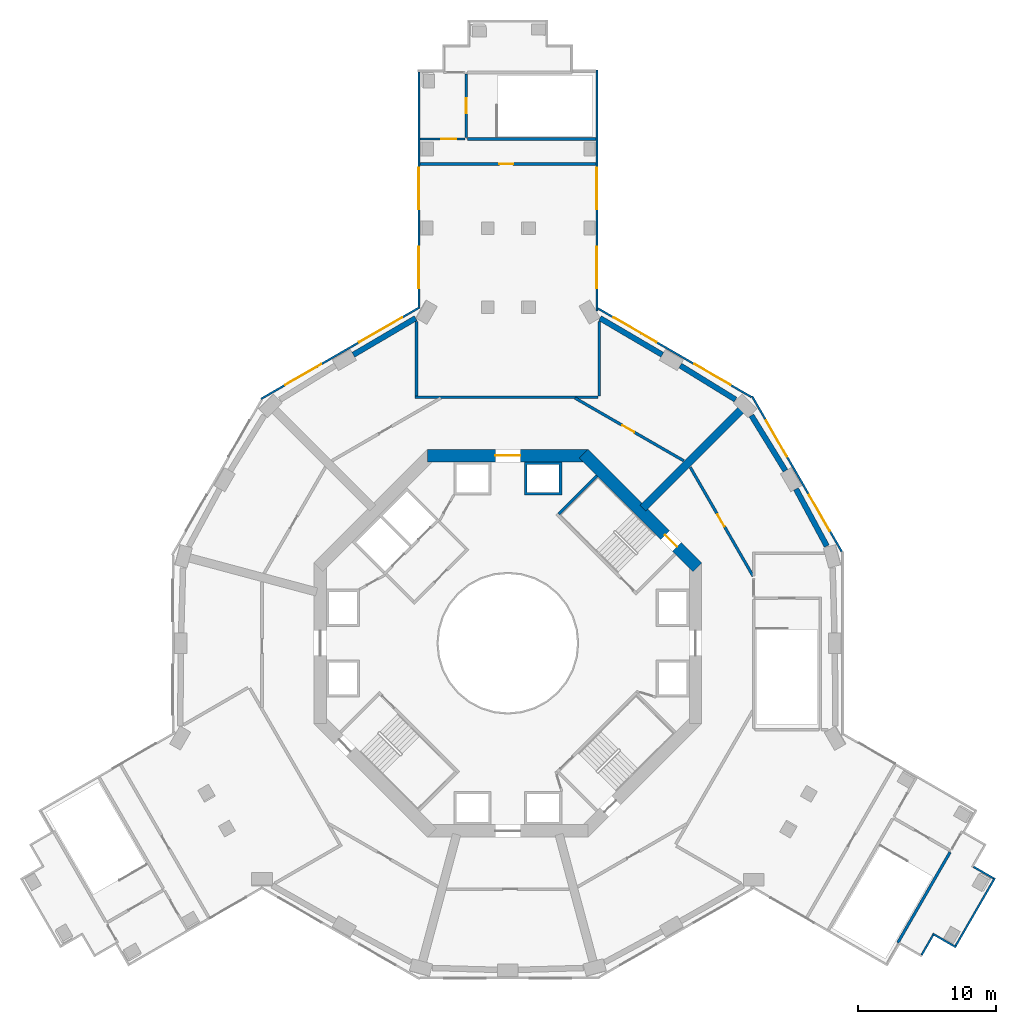
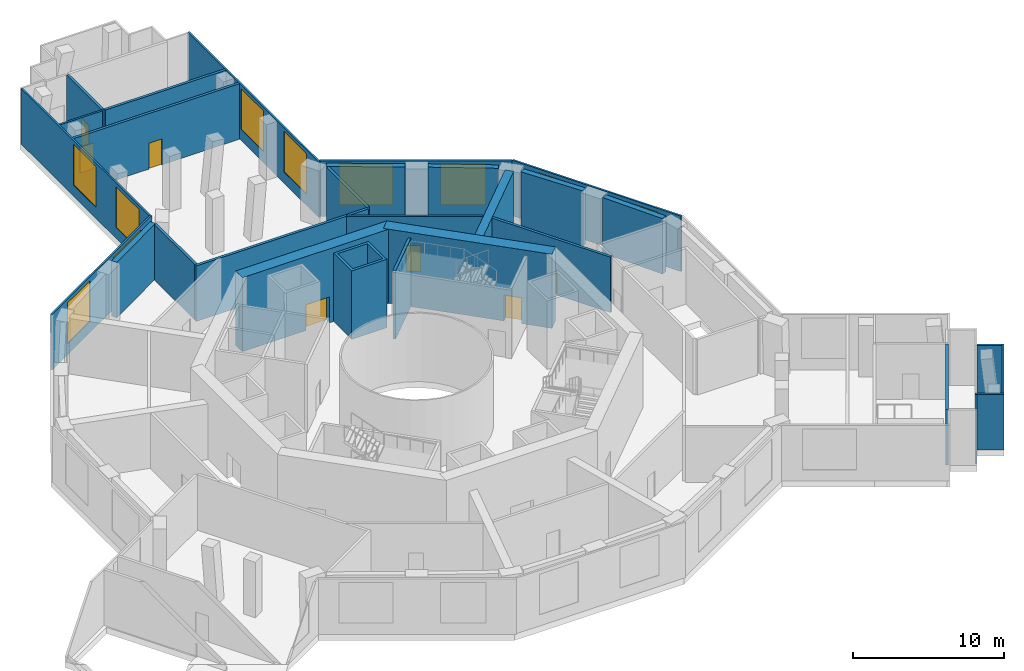
# One storey, part 5 of 12: 29 walls, 10 windows, 7 doors, 17 openings.
"""IFC4 building model written with IfcOpenShell, lengths in metres."""

from ifc_helpers import new_model, si_unit, direction, frame, frame_2d, origin, place, context, subcontext, project, spatial, polyline, rectangle, outline, extrude, material, layer, layer_set, type_object, element, fill, save


model = new_model("IFC4")

# Units and contexts
model_context = context("Model", 3, precision=1e-05, world=origin(), true_north=direction((0.0, 1.0)))
body_context = subcontext(model_context, "Body", "Model", "MODEL_VIEW")
ifc_project = project(units=[si_unit("LENGTHUNIT", "METRE"), si_unit("AREAUNIT", "SQUARE_METRE"), si_unit("VOLUMEUNIT", "CUBIC_METRE"), si_unit("PLANEANGLEUNIT", "RADIAN"), si_unit("MASSUNIT", "GRAM", prefix="KILO")], contexts=[model_context])

# Site, building, storey
site_placement = place(None, origin())
site = spatial("IfcSite", under=ifc_project, at=site_placement, CompositionType="ELEMENT")
building_placement = place(site_placement, origin())
building = spatial("IfcBuilding", under=site, at=building_placement, Name="Verdalira Terraces Hotel", CompositionType="ELEMENT")
storey_placement = place(building_placement, frame((0.0, 0.0, 28.0)))
storey = spatial("IfcBuildingStorey", under=building, at=storey_placement, Name="L05", CompositionType="ELEMENT", Elevation=28.0)

# Walls
ifc_material_1 = material(Name="Concrete C70", Category="concrete")
ifc_layer_1 = layer(ifc_material_1, 0.39990234375)
ifc_layer_set_1 = layer_set([ifc_layer_1], Name="Belt wall 400 C70")
wall_type_1 = type_object("IfcWallType", Name="Belt wall 400 C70", PredefinedType="SHEAR", material=ifc_layer_set_1)
wall_1_placement = place(storey_placement, frame((-6.654053, 23.469238, 0.0), z_axis=(0.0, 0.0, 1.0), x_axis=(-0.862353622, -0.506306458, 0.0)))
element("IfcWall", 1, at=wall_1_placement, inside=storey, type_object=wall_type_1, Name="Belt wall BW-05-1", PredefinedType="SHEAR", context=body_context, shape_type="SweptSolid", body=[
    extrude(rectangle(XDim=5.21875, YDim=0.399902, at=frame_2d((2.609375, 0.0))), origin(), (0.0, 0.0, 1.0), 4.5),
])
for number, where, z_axis, x_axis, name in (
    (2, (23.032471, 7.01123, 0.0), (0.0, 0.0, 1.0), (-0.474994751, 0.879988629, 0.0), "Belt wall BW-05-15"),
    (3, (20.04541, 12.453369, 0.0), (0.0, 0.0, 1.0), (-0.524623706, 0.851334227, 0.0), "Belt wall BW-05-16"),
    (4, (16.440918, 17.588135, 0.0), (0.0, 0.0, 1.0), (-0.851334227, 0.524623706, 0.0), "Belt wall BW-05-17"),
):
    element("IfcWall", number, at=place(storey_placement, frame(where, z_axis=z_axis, x_axis=x_axis)), inside=storey, type_object=wall_type_1, Name=name, PredefinedType="SHEAR", context=body_context, shape_type="SweptSolid", body=[
        extrude(rectangle(XDim=4.683838, YDim=0.399902, at=frame_2d((2.341797, 0.0))), origin(), (0.0, 0.0, 1.0), 4.5),
    ])
wall_2_placement = place(storey_placement, frame((11.154541, 20.826904, 0.0), z_axis=(0.0, 0.0, 1.0), x_axis=(-0.862353622, 0.506306458, 0.0)))
element("IfcWall", 5, at=wall_2_placement, inside=storey, type_object=wall_type_1, Name="Belt wall BW-05-18", PredefinedType="SHEAR", context=body_context, shape_type="SweptSolid", body=[
    extrude(rectangle(XDim=5.21875, YDim=0.399902, at=frame_2d((2.609375, 0.0))), origin(), (0.0, 0.0, 1.0), 4.5),
])
ifc_material_2 = material(Name="Concrete C50", Category="concrete")
ifc_layer_2 = layer(ifc_material_2, 0.199951171875)
ifc_layer_set_2 = layer_set([ifc_layer_2], Name="Core RC wall 200 C50")
wall_type_2 = type_object("IfcWallType", Name="Core RC wall 200 C50", PredefinedType="SOLIDWALL", material=ifc_layer_set_2)
wall_3_placement = place(storey_placement, origin())
element("IfcWall", 6, at=wall_3_placement, inside=storey, type_object=wall_type_2, Name="L05 shaft wall N1", PredefinedType="SOLIDWALL", context=body_context, shape_type="SweptSolid", body=[
    extrude(outline(polyline([(1.199951, 13.100098), (3.899902, 13.100098), (3.899902, 10.699951), (1.199951, 10.699951), (1.199951, 13.100098)]), holes=[polyline([(3.699951, 10.899902), (3.699951, 12.899902), (1.399902, 12.899902), (1.399902, 10.899902), (3.699951, 10.899902)])]), origin(), (0.0, 0.0, 1.0), 5.550049),
])
wall_4_placement = place(storey_placement, frame((3.677002, 9.33374, 0.0), z_axis=(0.0, 0.0, 1.0), x_axis=(0.707106781, 0.707106781, 0.0)))
element("IfcWall", 7, at=wall_4_placement, inside=storey, type_object=wall_type_2, Name="L05 stair ST1 end wall 2", PredefinedType="SOLIDWALL", context=body_context, shape_type="SweptSolid", body=[
    extrude(rectangle(XDim=3.900146, YDim=0.199951, at=frame_2d((1.950195, 0.0))), origin(), (0.0, 0.0, 1.0), 5.550049),
])

# Wall, opening, door
ifc_material_3 = material(Name="Concrete C70", Category="concrete")
ifc_layer_3 = layer(ifc_material_3, 0.89990234375)
ifc_layer_set_3 = layer_set([ifc_layer_3], Name="Core wall 900 C70")
wall_type_3 = type_object("IfcWallType", Name="Core wall 900 C70", PredefinedType="SHEAR", material=ifc_layer_set_3)
wall_5_placement = place(storey_placement, frame((13.681885, 5.480713, 0.0), z_axis=(0.0, 0.0, 1.0), x_axis=(-0.707106781, 0.707106781, 0.0)))
wall_5 = element("IfcWall", 8, at=wall_5_placement, inside=storey, type_object=wall_type_3, Name="Core wall CW-L05-2", PredefinedType="SHEAR", context=body_context, shape_type="SweptSolid", body=[
    extrude(rectangle(XDim=11.598145, YDim=0.899902, at=frame_2d((5.799072, 0.0))), origin(), (0.0, 0.0, 1.0), 6.0),
])
opening_1_placement = place(wall_5_placement, frame((2.099121, 0.0, 0.0)))
opening_1 = element("IfcOpeningElement", 9, at=opening_1_placement, cuts=wall_5, Name="Opening L05-810", PredefinedType="OPENING", context=body_context, shape_type="SweptSolid", body=[
    extrude(rectangle(XDim=1.199951, YDim=2.100098, at=frame_2d((0.600098, 1.050049))), frame((0.0, 0.459961, 0.0), z_axis=(0.0, -1.0, 0.0), x_axis=(1.0, 0.0, 0.0)), (0.0, 0.0, 1.0), 0.919922),
])
ifc_material_4 = material(Name="Steel fire door", Category="steel")
door_type_1 = type_object("IfcDoorType", Name="Stair door 1200 x 2100", OperationType="NOTDEFINED", PredefinedType="DOOR", material=ifc_material_4)
door_1_placement = place(opening_1_placement, origin())
door_1 = element("IfcDoor", 10, at=door_1_placement, inside=storey, type_object=door_type_1, Name="Stair exit door ST1 L05", OperationType="SINGLE_SWING_LEFT", OverallHeight=2.10009765625, OverallWidth=1.199951171875, PredefinedType="DOOR", context=body_context, shape_type="SweptSolid", body=[
    extrude(rectangle(XDim=1.199951, YDim=2.100098, at=frame_2d((0.600098, 1.050049))), frame((0.0, 0.024902, 0.0), z_axis=(0.0, -1.0, 0.0), x_axis=(1.0, 0.0, 0.0)), (0.0, 0.0, 1.0), 0.050049),
])
fill(opening_1, door_1)

wall_6_placement = place(storey_placement, frame((5.799072, 13.550049, 0.0), z_axis=(0.0, 0.0, 1.0), x_axis=(-1.0, 0.0, 0.0)))
wall_6 = element("IfcWall", 11, at=wall_6_placement, inside=storey, type_object=wall_type_3, Name="Core wall CW-L05-3", PredefinedType="SHEAR", context=body_context, shape_type="SweptSolid", body=[
    extrude(rectangle(XDim=11.598145, YDim=0.899902, at=frame_2d((5.799072, 0.0))), origin(), (0.0, 0.0, 1.0), 6.0),
])
opening_2_placement = place(wall_6_placement, frame((4.898926, 0.0, 0.0)))
opening_2 = element("IfcOpeningElement", 12, at=opening_2_placement, cuts=wall_6, Name="Opening L05-807", PredefinedType="OPENING", context=body_context, shape_type="SweptSolid", body=[
    extrude(rectangle(XDim=1.800049, YDim=2.100098, at=frame_2d((0.899902, 1.050049))), frame((0.0, 0.459961, 0.0), z_axis=(0.0, -1.0, 0.0), x_axis=(1.0, 0.0, 0.0)), (0.0, 0.0, 1.0), 0.919922),
])
ifc_material_5 = material(Name="Steel fire door", Category="steel")
door_type_2 = type_object("IfcDoorType", Name="Core entry door pair 1800 x 2100", OperationType="NOTDEFINED", PredefinedType="DOOR", material=ifc_material_5)
door_2_placement = place(opening_2_placement, origin())
door_2 = element("IfcDoor", 13, at=door_2_placement, inside=storey, type_object=door_type_2, Name="Core entry door L05 2", OperationType="DOUBLE_DOOR_SINGLE_SWING", OverallHeight=2.10009765625, OverallWidth=1.800048828125, PredefinedType="DOOR", context=body_context, shape_type="SweptSolid", body=[
    extrude(rectangle(XDim=1.800049, YDim=2.100098, at=frame_2d((0.899902, 1.050049))), frame((0.0, 0.024902, 0.0), z_axis=(0.0, -1.0, 0.0), x_axis=(1.0, 0.0, 0.0)), (0.0, 0.0, 1.0), 0.050049),
])
fill(opening_2, door_2)

# Walls
ifc_material_6 = material(Name="Concrete block masonry", Category="masonry")
ifc_layer_4 = layer(ifc_material_6, 0.199951171875)
ifc_layer_set_4 = layer_set([ifc_layer_4], Name="Fire-rated masonry wall 200 mm")
wall_type_4 = type_object("IfcWallType", Name="Fire-rated masonry wall 200 mm", PredefinedType="SOLIDWALL", material=ifc_layer_set_4)
wall_7_placement = place(storey_placement, frame((-6.699951, 17.758301, 0.0), z_axis=(0.0, 0.0, 1.0), x_axis=(1.0, 0.0, 0.0)))
element("IfcWall", 14, at=wall_7_placement, inside=storey, type_object=wall_type_4, Name="Plant and kitchen enclosure wall", PredefinedType="SOLIDWALL", context=body_context, shape_type="SweptSolid", body=[
    extrude(rectangle(XDim=13.199951, YDim=0.199951, at=frame_2d((6.600098, 0.0))), origin(), (0.0, 0.0, 1.0), 4.5),
])
wall_8_placement = place(storey_placement, frame((-6.600098, 23.234131, 0.0), z_axis=(0.0, 0.0, 1.0), x_axis=(0.0, -1.0, 0.0)))
element("IfcWall", 15, at=wall_8_placement, inside=storey, type_object=wall_type_4, Name="Plant and kitchen enclosure wall", PredefinedType="SOLIDWALL", context=body_context, shape_type="SweptSolid", body=[
    extrude(rectangle(XDim=5.375732, YDim=0.199951, at=frame_2d((2.687988, 0.0))), origin(), (0.0, 0.0, 1.0), 4.5),
])

# Wall, opening, door
wall_9_placement = place(storey_placement, frame((-6.360107, 34.600098, 0.0), z_axis=(0.0, 0.0, 1.0), x_axis=(1.0, 0.0, 0.0)))
wall_9 = element("IfcWall", 16, at=wall_9_placement, inside=storey, type_object=wall_type_4, Name="Plant and kitchen enclosure wall", PredefinedType="SOLIDWALL", context=body_context, shape_type="SweptSolid", body=[
    extrude(rectangle(XDim=12.720215, YDim=0.199951, at=frame_2d((6.360107, 0.0))), origin(), (0.0, 0.0, 1.0), 4.5),
])
opening_3_placement = place(wall_9_placement, frame((5.75, 0.0, 0.0)))
opening_3 = element("IfcOpeningElement", 17, at=opening_3_placement, cuts=wall_9, Name="Opening L05-D08", PredefinedType="OPENING", context=body_context, shape_type="SweptSolid", body=[
    extrude(rectangle(XDim=1.0, YDim=2.100098, at=frame_2d((0.5, 1.050049))), frame((0.0, 0.109863, 0.0), z_axis=(0.0, -1.0, 0.0), x_axis=(1.0, 0.0, 0.0)), (0.0, 0.0, 1.0), 0.219971),
])
ifc_material_7 = material(Name="Steel fire door", Category="steel")
door_type_3 = type_object("IfcDoorType", Name="Fire door 1000 x 2100", OperationType="SINGLE_SWING_LEFT", PredefinedType="DOOR", material=ifc_material_7)
door_3_placement = place(opening_3_placement, origin())
door_3 = element("IfcDoor", 18, at=door_3_placement, inside=storey, type_object=door_type_3, Name="Stair approach corridor door", OperationType="SINGLE_SWING_RIGHT", OverallHeight=2.10009765625, OverallWidth=1.0, PredefinedType="DOOR", context=body_context, shape_type="SweptSolid", body=[
    extrude(rectangle(XDim=1.0, YDim=2.100098, at=frame_2d((0.5, 1.050049))), frame((0.0, 0.024902, 0.0), z_axis=(0.0, -1.0, 0.0), x_axis=(1.0, 0.0, 0.0)), (0.0, 0.0, 1.0), 0.050049),
])
fill(opening_3, door_3)

wall_10_placement = place(storey_placement, frame((4.844971, 17.708252, 0.0), z_axis=(0.0, 0.0, 1.0), x_axis=(0.866031025, -0.499990264, 0.0)))
wall_10 = element("IfcWall", 19, at=wall_10_placement, inside=storey, type_object=wall_type_4, Name="Plant and kitchen enclosure wall", PredefinedType="SOLIDWALL", context=body_context, shape_type="SweptSolid", body=[
    extrude(rectangle(XDim=9.074951, YDim=0.199951, at=frame_2d((4.537598, 0.0))), origin(), (0.0, 0.0, 1.0), 4.5),
])
opening_4_placement = place(wall_10_placement, frame((3.949951, 0.0, 0.0)))
opening_4 = element("IfcOpeningElement", 20, at=opening_4_placement, cuts=wall_10, Name="Opening L05-D14", PredefinedType="OPENING", context=body_context, shape_type="SweptSolid", body=[
    extrude(rectangle(XDim=1.0, YDim=2.100098, at=frame_2d((0.5, 1.050049))), frame((0.0, 0.109863, 0.0), z_axis=(0.0, -1.0, 0.0), x_axis=(1.0, 0.0, 0.0)), (0.0, 0.0, 1.0), 0.219971),
])
door_4_placement = place(opening_4_placement, origin())
door_4 = element("IfcDoor", 21, at=door_4_placement, inside=storey, type_object=door_type_3, Name="Riser room door", OperationType="SINGLE_SWING_RIGHT", OverallHeight=2.10009765625, OverallWidth=1.0, PredefinedType="DOOR", context=body_context, shape_type="SweptSolid", body=[
    extrude(rectangle(XDim=1.0, YDim=2.100098, at=frame_2d((0.5, 1.050049))), frame((0.0, 0.024902, 0.0), z_axis=(0.0, -1.0, 0.0), x_axis=(1.0, 0.0, 0.0)), (0.0, 0.0, 1.0), 0.050049),
])
fill(opening_4, door_4)

# Wall
wall_11_placement = place(storey_placement, frame((6.600098, 17.858398, 0.0), z_axis=(0.0, 0.0, 1.0), x_axis=(0.0, 1.0, 0.0)))
element("IfcWall", 22, at=wall_11_placement, inside=storey, type_object=wall_type_4, Name="Plant and kitchen enclosure wall", PredefinedType="SOLIDWALL", context=body_context, shape_type="SweptSolid", body=[
    extrude(rectangle(XDim=5.375732, YDim=0.199951, at=frame_2d((2.687988, 0.0))), origin(), (0.0, 0.0, 1.0), 4.5),
])

# Wall, opening, door
wall_12_placement = place(storey_placement, frame((13.170898, 12.704102, 0.0), z_axis=(0.0, 0.0, 1.0), x_axis=(0.499990264, -0.866031025, 0.0)))
wall_12 = element("IfcWall", 23, at=wall_12_placement, inside=storey, type_object=wall_type_4, Name="Plant and kitchen enclosure wall", PredefinedType="SOLIDWALL", context=body_context, shape_type="SweptSolid", body=[
    extrude(rectangle(XDim=9.074951, YDim=0.199951, at=frame_2d((4.537598, 0.0))), origin(), (0.0, 0.0, 1.0), 4.5),
])
opening_5_placement = place(wall_12_placement, frame((3.949951, 0.0, 0.0)))
opening_5 = element("IfcOpeningElement", 24, at=opening_5_placement, cuts=wall_12, Name="Opening L05-D16", PredefinedType="OPENING", context=body_context, shape_type="SweptSolid", body=[
    extrude(rectangle(XDim=1.0, YDim=2.100098, at=frame_2d((0.5, 1.050049))), frame((0.0, 0.109863, 0.0), z_axis=(0.0, -1.0, 0.0), x_axis=(1.0, 0.0, 0.0)), (0.0, 0.0, 1.0), 0.219971),
])
door_5_placement = place(opening_5_placement, origin())
door_5 = element("IfcDoor", 25, at=door_5_placement, inside=storey, type_object=door_type_3, Name="Telecom plant room door", OperationType="SINGLE_SWING_RIGHT", OverallHeight=2.10009765625, OverallWidth=1.0, PredefinedType="DOOR", context=body_context, shape_type="SweptSolid", body=[
    extrude(rectangle(XDim=1.0, YDim=2.100098, at=frame_2d((0.5, 1.050049))), frame((0.0, 0.024902, 0.0), z_axis=(0.0, -1.0, 0.0), x_axis=(1.0, 0.0, 0.0)), (0.0, 0.0, 1.0), 0.050049),
])
fill(opening_5, door_5)

ifc_material_8 = material(Name="Gypsum board partition on steel stud", Category="steel")
ifc_layer_5 = layer(ifc_material_8, 0.14990234375)
ifc_layer_set_5 = layer_set([ifc_layer_5], Name="Fire-rated partition 150 mm")
wall_type_5 = type_object("IfcWallType", Name="Fire-rated partition 150 mm", PredefinedType="PARTITIONING", material=ifc_layer_set_5)
wall_13_placement = place(storey_placement, frame((-3.099854, 36.399902, 0.0), z_axis=(0.0, 0.0, 1.0), x_axis=(-1.0, 0.0, 0.0)))
wall_13 = element("IfcWall", 26, at=wall_13_placement, inside=storey, type_object=wall_type_5, Name="Partition", PredefinedType="PARTITIONING", context=body_context, shape_type="SweptSolid", body=[
    extrude(rectangle(XDim=3.260254, YDim=0.149902, at=frame_2d((1.630127, 0.0))), origin(), (0.0, 0.0, 1.0), 4.5),
])
opening_6_placement = place(wall_13_placement, frame((0.610107, 0.0, 0.0)))
opening_6 = element("IfcOpeningElement", 27, at=opening_6_placement, cuts=wall_13, Name="Opening L05-D09", PredefinedType="OPENING", context=body_context, shape_type="SweptSolid", body=[
    extrude(rectangle(XDim=1.100098, YDim=2.100098, at=frame_2d((0.550049, 1.050049))), frame((0.0, 0.084961, 0.0), z_axis=(0.0, -1.0, 0.0), x_axis=(1.0, 0.0, 0.0)), (0.0, 0.0, 1.0), 0.169922),
])
ifc_material_9 = material(Name="Steel fire door", Category="steel")
door_type_4 = type_object("IfcDoorType", Name="Stair door 1100 x 2100", OperationType="SINGLE_SWING_LEFT", PredefinedType="DOOR", material=ifc_material_9)
door_6_placement = place(opening_6_placement, origin())
door_6 = element("IfcDoor", 28, at=door_6_placement, inside=storey, type_object=door_type_4, Name="Stair door Stair approach corridor", OperationType="SINGLE_SWING_LEFT", OverallHeight=2.10009765625, OverallWidth=1.10009765625, PredefinedType="DOOR", context=body_context, shape_type="SweptSolid", body=[
    extrude(rectangle(XDim=1.100098, YDim=2.100098, at=frame_2d((0.550049, 1.050049))), frame((0.0, 0.024902, 0.0), z_axis=(0.0, -1.0, 0.0), x_axis=(1.0, 0.0, 0.0)), (0.0, 0.0, 1.0), 0.050049),
])
fill(opening_6, door_6)

# Walls
ifc_material_10 = material(Name="Concrete C70", Category="concrete")
ifc_layer_6 = layer(ifc_material_10, 0.60009765625)
ifc_layer_set_6 = layer_set([ifc_layer_6], Name="Outrigger wall 600 C70")
wall_type_6 = type_object("IfcWallType", Name="Outrigger wall 600 C70", PredefinedType="SHEAR", material=ifc_layer_set_6)
wall_14_placement = place(storey_placement, frame((9.758057, 9.758057, 0.0), z_axis=(0.0, 0.0, 1.0), x_axis=(0.707106781, 0.707106781, 0.0)))
element("IfcWall", 29, at=wall_14_placement, inside=storey, type_object=wall_type_6, Name="Outrigger wall OW-05-5", PredefinedType="SHEAR", context=body_context, shape_type="SweptSolid", body=[
    extrude(rectangle(XDim=10.004883, YDim=0.600098, at=frame_2d((5.002441, 0.0))), origin(), (0.0, 0.0, 1.0), 4.5),
])
ifc_material_11 = material(Name="Concrete C50", Category="concrete")
ifc_layer_7 = layer(ifc_material_11, 0.199951171875)
ifc_layer_set_7 = layer_set([ifc_layer_7], Name="Stair enclosure wall 200 mm")
wall_type_7 = type_object("IfcWallType", Name="Stair enclosure wall 200 mm", PredefinedType="SOLIDWALL", material=ifc_layer_set_7)
wall_15_placement = place(storey_placement, frame((-2.900146, 36.399902, 0.0), z_axis=(0.0, 0.0, 1.0), x_axis=(1.0, 0.0, 0.0)))
element("IfcWall", 30, at=wall_15_placement, inside=storey, type_object=wall_type_7, Name="Stair enclosure wall", PredefinedType="SOLIDWALL", context=body_context, shape_type="SweptSolid", body=[
    extrude(rectangle(XDim=9.260254, YDim=0.199951, at=frame_2d((4.630127, 0.0))), origin(), (0.0, 0.0, 1.0), 4.5),
])

# Wall, opening, door
wall_16_placement = place(storey_placement, frame((-3.0, 36.5, 0.0), z_axis=(0.0, 0.0, 1.0), x_axis=(0.0, 1.0, 0.0)))
wall_16 = element("IfcWall", 31, at=wall_16_placement, inside=storey, type_object=wall_type_7, Name="Stair enclosure wall", PredefinedType="SOLIDWALL", context=body_context, shape_type="SweptSolid", body=[
    extrude(rectangle(XDim=4.600098, YDim=0.199951, at=frame_2d((2.300049, 0.0))), origin(), (0.0, 0.0, 1.0), 4.5),
])
opening_7_placement = place(wall_16_placement, frame((1.75, 0.0, 0.0)))
opening_7 = element("IfcOpeningElement", 32, at=opening_7_placement, cuts=wall_16, Name="Opening L05-D12", PredefinedType="OPENING", context=body_context, shape_type="SweptSolid", body=[
    extrude(rectangle(XDim=1.100098, YDim=2.100098, at=frame_2d((0.550049, 1.050049))), frame((0.0, 0.109863, 0.0), z_axis=(0.0, -1.0, 0.0), x_axis=(1.0, 0.0, 0.0)), (0.0, 0.0, 1.0), 0.219971),
])
door_7_placement = place(opening_7_placement, origin())
door_7 = element("IfcDoor", 33, at=door_7_placement, inside=storey, type_object=door_type_4, Name="Stair door Stair lobby PS1", OperationType="SINGLE_SWING_RIGHT", OverallHeight=2.10009765625, OverallWidth=1.10009765625, PredefinedType="DOOR", context=body_context, shape_type="SweptSolid", body=[
    extrude(rectangle(XDim=1.100098, YDim=2.100098, at=frame_2d((0.550049, 1.050049))), frame((0.0, 0.024902, 0.0), z_axis=(0.0, -1.0, 0.0), x_axis=(1.0, 0.0, 0.0)), (0.0, 0.0, 1.0), 0.050049),
])
fill(opening_7, door_7)

# Wall
wall_17_placement = place(storey_placement, frame((28.161621, -21.622803, 0.0), z_axis=(0.0, 0.0, 1.0), x_axis=(0.499981072, 0.866036332, 0.0)))
element("IfcWall", 34, at=wall_17_placement, inside=storey, type_object=wall_type_7, Name="Stair enclosure wall", PredefinedType="SOLIDWALL", context=body_context, shape_type="SweptSolid", body=[
    extrude(rectangle(XDim=7.545166, YDim=0.199951, at=frame_2d((3.772461, 0.0))), origin(), (0.0, 0.0, 1.0), 4.5),
])

# Wall, openings, windows
ifc_material_12 = material(Name="Concrete C40", Category="concrete")
ifc_layer_8 = layer(ifc_material_12, 0.139892578125)
ifc_layer_set_8 = layer_set([ifc_layer_8], Name="Terracotta clad concrete wall C40 140 mm")
wall_type_8 = type_object("IfcWallType", Name="Terracotta clad concrete wall C40 140 mm", PredefinedType="SOLIDWALL", material=ifc_layer_set_8)
wall_18_placement = place(storey_placement, frame((6.429932, 23.995117, 0.0), z_axis=(0.0, 0.0, 1.0), x_axis=(0.0, 1.0, 0.0)))
wall_18 = element("IfcWall", 35, at=wall_18_placement, inside=storey, type_object=wall_type_8, Name="Podium facade wall", PredefinedType="SOLIDWALL", context=body_context, shape_type="SweptSolid", body=[
    extrude(rectangle(XDim=17.404785, YDim=0.139893, at=frame_2d((8.702393, 0.0))), origin(), (0.0, 0.0, 1.0), 4.5),
])
opening_8_placement = place(wall_18_placement, frame((1.634277, 0.0, 0.899902)))
opening_8 = element("IfcOpeningElement", 36, at=opening_8_placement, cuts=wall_18, Name="Opening WL", PredefinedType="OPENING", context=body_context, shape_type="SweptSolid", body=[
    extrude(rectangle(XDim=3.0, YDim=3.300049, at=frame_2d((1.5, 1.649902))), frame((0.0, 0.079834, 0.0), z_axis=(0.0, -1.0, 0.0), x_axis=(1.0, 0.0, 0.0)), (0.0, 0.0, 1.0), 0.159912),
])
opening_9_placement = place(wall_18_placement, frame((7.333984, 0.0, 0.899902)))
opening_9 = element("IfcOpeningElement", 37, at=opening_9_placement, cuts=wall_18, Name="Opening WL", PredefinedType="OPENING", context=body_context, shape_type="SweptSolid", body=[
    extrude(rectangle(XDim=3.0, YDim=3.300049, at=frame_2d((1.5, 1.649902))), frame((0.0, 0.079834, 0.0), z_axis=(0.0, -1.0, 0.0), x_axis=(1.0, 0.0, 0.0)), (0.0, 0.0, 1.0), 0.159912),
])
ifc_material_13 = material(Name="Terracotta louvre", Category="masonry")
window_type_1 = type_object("IfcWindowType", Name="Plant louvre 3000 x 3300", PartitioningType="SINGLE_PANEL", PredefinedType="WINDOW", material=ifc_material_13)
window_1_placement = place(opening_8_placement, origin())
window_1 = element("IfcWindow", 38, at=window_1_placement, inside=storey, type_object=window_type_1, Name="Podium window", OverallHeight=3.300048828125, OverallWidth=3.0, PartitioningType="SINGLE_PANEL", PredefinedType="WINDOW", context=body_context, shape_type="SweptSolid", body=[
    extrude(rectangle(XDim=3.0, YDim=3.300049, at=frame_2d((1.5, 1.649902))), frame((0.0, 0.030029, 0.0), z_axis=(0.0, -1.0, 0.0), x_axis=(1.0, 0.0, 0.0)), (0.0, 0.0, 1.0), 0.060059),
])
fill(opening_8, window_1)
window_2_placement = place(opening_9_placement, origin())
window_2 = element("IfcWindow", 39, at=window_2_placement, inside=storey, type_object=window_type_1, Name="Podium window", OverallHeight=3.300048828125, OverallWidth=3.0, PartitioningType="SINGLE_PANEL", PredefinedType="WINDOW", context=body_context, shape_type="SweptSolid", body=[
    extrude(rectangle(XDim=3.0, YDim=3.300049, at=frame_2d((1.5, 1.649902))), frame((0.0, 0.030029, 0.0), z_axis=(0.0, -1.0, 0.0), x_axis=(1.0, 0.0, 0.0)), (0.0, 0.0, 1.0), 0.060059),
])
fill(opening_9, window_2)

ifc_material_14 = material(Name="Terracotta cladding on steel stud backup", Category="masonry")
ifc_layer_9 = layer(ifc_material_14, 0.139892578125)
ifc_layer_set_9 = layer_set([ifc_layer_9], Name="Terracotta clad wall 140 mm")
wall_type_9 = type_object("IfcWallType", Name="Terracotta clad wall 140 mm", PredefinedType="SOLIDWALL", material=ifc_layer_set_9)
wall_19_placement = place(storey_placement, frame((-6.429932, 41.26001, 0.0), z_axis=(0.0, 0.0, 1.0), x_axis=(0.0, -1.0, 0.0)))
wall_19 = element("IfcWall", 40, at=wall_19_placement, inside=storey, type_object=wall_type_9, Name="Podium facade wall", PredefinedType="SOLIDWALL", context=body_context, shape_type="SweptSolid", body=[
    extrude(rectangle(XDim=16.961426, YDim=0.139893, at=frame_2d((8.480713, 0.0))), origin(), (0.0, 0.0, 1.0), 4.5),
])
opening_10_placement = place(wall_19_placement, frame((6.930908, 0.0, 0.899902)))
opening_10 = element("IfcOpeningElement", 41, at=opening_10_placement, cuts=wall_19, Name="Opening WL", PredefinedType="OPENING", context=body_context, shape_type="SweptSolid", body=[
    extrude(rectangle(XDim=3.0, YDim=3.300049, at=frame_2d((1.5, 1.649902))), frame((0.0, 0.079834, 0.0), z_axis=(0.0, -1.0, 0.0), x_axis=(1.0, 0.0, 0.0)), (0.0, 0.0, 1.0), 0.159912),
])
opening_11_placement = place(wall_19_placement, frame((12.630615, 0.0, 0.899902)))
opening_11 = element("IfcOpeningElement", 42, at=opening_11_placement, cuts=wall_19, Name="Opening WL", PredefinedType="OPENING", context=body_context, shape_type="SweptSolid", body=[
    extrude(rectangle(XDim=3.0, YDim=3.300049, at=frame_2d((1.5, 1.649902))), frame((0.0, 0.079834, 0.0), z_axis=(0.0, -1.0, 0.0), x_axis=(1.0, 0.0, 0.0)), (0.0, 0.0, 1.0), 0.159912),
])
window_3_placement = place(opening_10_placement, origin())
window_3 = element("IfcWindow", 43, at=window_3_placement, inside=storey, type_object=window_type_1, Name="Podium window", OverallHeight=3.300048828125, OverallWidth=3.0, PartitioningType="SINGLE_PANEL", PredefinedType="WINDOW", context=body_context, shape_type="SweptSolid", body=[
    extrude(rectangle(XDim=3.0, YDim=3.300049, at=frame_2d((1.5, 1.649902))), frame((0.0, 0.030029, 0.0), z_axis=(0.0, -1.0, 0.0), x_axis=(1.0, 0.0, 0.0)), (0.0, 0.0, 1.0), 0.060059),
])
fill(opening_10, window_3)
window_4_placement = place(opening_11_placement, origin())
window_4 = element("IfcWindow", 44, at=window_4_placement, inside=storey, type_object=window_type_1, Name="Podium window", OverallHeight=3.300048828125, OverallWidth=3.0, PartitioningType="SINGLE_PANEL", PredefinedType="WINDOW", context=body_context, shape_type="SweptSolid", body=[
    extrude(rectangle(XDim=3.0, YDim=3.300049, at=frame_2d((1.5, 1.649902))), frame((0.0, 0.030029, 0.0), z_axis=(0.0, -1.0, 0.0), x_axis=(1.0, 0.0, 0.0)), (0.0, 0.0, 1.0), 0.060059),
])
fill(opening_11, window_4)

wall_20_placement = place(storey_placement, frame((-6.360107, 24.258301, 0.0), z_axis=(0.0, 0.0, 1.0), x_axis=(-0.866029009, -0.499993756, 0.0)))
wall_20 = element("IfcWall", 45, at=wall_20_placement, inside=storey, type_object=wall_type_9, Name="Podium facade wall", PredefinedType="SOLIDWALL", context=body_context, shape_type="SweptSolid", body=[
    extrude(rectangle(XDim=13.242432, YDim=0.139893, at=frame_2d((6.621094, 0.0))), origin(), (0.0, 0.0, 1.0), 4.5),
])
opening_12_placement = place(wall_20_placement, frame((1.460205, 0.0, 0.899902)))
opening_12 = element("IfcOpeningElement", 46, at=opening_12_placement, cuts=wall_20, Name="Opening WL", PredefinedType="OPENING", context=body_context, shape_type="SweptSolid", body=[
    extrude(rectangle(XDim=3.600098, YDim=3.300049, at=frame_2d((1.800049, 1.649902))), frame((0.0, 0.079834, 0.0), z_axis=(0.0, -1.0, 0.0), x_axis=(1.0, 0.0, 0.0)), (0.0, 0.0, 1.0), 0.159912),
])
opening_13_placement = place(wall_20_placement, frame((8.2146, 0.0, 0.899902)))
opening_13 = element("IfcOpeningElement", 47, at=opening_13_placement, cuts=wall_20, Name="Opening WL", PredefinedType="OPENING", context=body_context, shape_type="SweptSolid", body=[
    extrude(rectangle(XDim=3.0, YDim=3.300049, at=frame_2d((1.5, 1.649902))), frame((0.0, 0.079834, 0.0), z_axis=(0.0, -1.0, 0.0), x_axis=(1.0, 0.0, 0.0)), (0.0, 0.0, 1.0), 0.159912),
])
window_5_placement = place(opening_13_placement, origin())
window_5 = element("IfcWindow", 48, at=window_5_placement, inside=storey, type_object=window_type_1, Name="Podium window", OverallHeight=3.300048828125, OverallWidth=3.0, PartitioningType="SINGLE_PANEL", PredefinedType="WINDOW", context=body_context, shape_type="SweptSolid", body=[
    extrude(rectangle(XDim=3.0, YDim=3.300049, at=frame_2d((1.5, 1.649902))), frame((0.0, 0.030029, 0.0), z_axis=(0.0, -1.0, 0.0), x_axis=(1.0, 0.0, 0.0)), (0.0, 0.0, 1.0), 0.060059),
])
fill(opening_13, window_5)
ifc_material_15 = material(Name="Terracotta louvre", Category="masonry")
window_type_2 = type_object("IfcWindowType", Name="Plant louvre 3600 x 3300", PartitioningType="SINGLE_PANEL", PredefinedType="WINDOW", material=ifc_material_15)
window_6_placement = place(opening_12_placement, origin())
window_6 = element("IfcWindow", 49, at=window_6_placement, inside=storey, type_object=window_type_2, Name="Podium window", OverallHeight=3.300048828125, OverallWidth=3.60009765625, PartitioningType="SINGLE_PANEL", PredefinedType="WINDOW", context=body_context, shape_type="SweptSolid", body=[
    extrude(rectangle(XDim=3.600098, YDim=3.300049, at=frame_2d((1.800049, 1.649902))), frame((0.0, 0.030029, 0.0), z_axis=(0.0, -1.0, 0.0), x_axis=(1.0, 0.0, 0.0)), (0.0, 0.0, 1.0), 0.060059),
])
fill(opening_12, window_6)

# Walls
wall_21_placement = place(storey_placement, frame((29.875488, -22.51416, 0.0), z_axis=(0.0, 0.0, 1.0), x_axis=(0.499998264, 0.866026406, 0.0)))
element("IfcWall", 50, at=wall_21_placement, inside=storey, type_object=wall_type_9, Name="Podium facade wall", PredefinedType="SOLIDWALL", context=body_context, shape_type="SweptSolid", body=[
    extrude(rectangle(XDim=1.660156, YDim=0.139893, at=frame_2d((0.830078, 0.0))), origin(), (0.0, 0.0, 1.0), 4.5),
])
wall_22_placement = place(storey_placement, frame((30.679932, -20.980957, 0.0), z_axis=(0.0, 0.0, 1.0), x_axis=(0.866043088, -0.499969368, 0.0)))
element("IfcWall", 51, at=wall_22_placement, inside=storey, type_object=wall_type_9, Name="Podium facade wall", PredefinedType="SOLIDWALL", context=body_context, shape_type="SweptSolid", body=[
    extrude(rectangle(XDim=1.939941, YDim=0.139893, at=frame_2d((0.969971, 0.0))), origin(), (0.0, 0.0, 1.0), 4.5),
])
wall_23_placement = place(storey_placement, frame((32.334473, -21.855225, 0.0), z_axis=(0.0, 0.0, 1.0), x_axis=(0.499985074, 0.866034021, 0.0)))
element("IfcWall", 52, at=wall_23_placement, inside=storey, type_object=wall_type_9, Name="Podium facade wall", PredefinedType="SOLIDWALL", context=body_context, shape_type="SweptSolid", body=[
    extrude(rectangle(XDim=5.659912, YDim=0.139893, at=frame_2d((2.830078, 0.0))), origin(), (0.0, 0.0, 1.0), 4.5),
])
wall_24_placement = place(storey_placement, frame((35.068604, -16.979004, 0.0), z_axis=(0.0, 0.0, 1.0), x_axis=(-0.866053324, 0.499951638, 0.0)))
element("IfcWall", 53, at=wall_24_placement, inside=storey, type_object=wall_type_9, Name="Podium facade wall", PredefinedType="SOLIDWALL", context=body_context, shape_type="SweptSolid", body=[
    extrude(rectangle(XDim=1.659912, YDim=0.139893, at=frame_2d((0.830078, 0.0))), origin(), (0.0, 0.0, 1.0), 4.5),
])

# Wall, openings, windows
wall_25_placement = place(storey_placement, frame((24.118408, 6.602539, 0.0), z_axis=(0.0, 0.0, 1.0), x_axis=(-0.499997984, 0.866026568, 0.0)))
wall_25 = element("IfcWall", 54, at=wall_25_placement, inside=storey, type_object=wall_type_9, Name="Podium facade wall", PredefinedType="SOLIDWALL", context=body_context, shape_type="SweptSolid", body=[
    extrude(rectangle(XDim=12.962402, YDim=0.139893, at=frame_2d((6.481201, 0.0))), origin(), (0.0, 0.0, 1.0), 4.5),
])
opening_14_placement = place(wall_25_placement, frame((1.747803, 0.0, 0.899902)))
opening_14 = element("IfcOpeningElement", 55, at=opening_14_placement, cuts=wall_25, Name="Opening WL", PredefinedType="OPENING", context=body_context, shape_type="SweptSolid", body=[
    extrude(rectangle(XDim=3.0, YDim=3.300049, at=frame_2d((1.5, 1.649902))), frame((0.0, 0.079834, 0.0), z_axis=(0.0, -1.0, 0.0), x_axis=(1.0, 0.0, 0.0)), (0.0, 0.0, 1.0), 0.159912),
])
opening_15_placement = place(wall_25_placement, frame((7.93457, 0.0, 0.899902)))
opening_15 = element("IfcOpeningElement", 56, at=opening_15_placement, cuts=wall_25, Name="Opening WL", PredefinedType="OPENING", context=body_context, shape_type="SweptSolid", body=[
    extrude(rectangle(XDim=3.0, YDim=3.300049, at=frame_2d((1.5, 1.649902))), frame((0.0, 0.079834, 0.0), z_axis=(0.0, -1.0, 0.0), x_axis=(1.0, 0.0, 0.0)), (0.0, 0.0, 1.0), 0.159912),
])
window_7_placement = place(opening_14_placement, origin())
window_7 = element("IfcWindow", 57, at=window_7_placement, inside=storey, type_object=window_type_1, Name="Podium window", OverallHeight=3.300048828125, OverallWidth=3.0, PartitioningType="SINGLE_PANEL", PredefinedType="WINDOW", context=body_context, shape_type="SweptSolid", body=[
    extrude(rectangle(XDim=3.0, YDim=3.300049, at=frame_2d((1.5, 1.649902))), frame((0.0, 0.030029, 0.0), z_axis=(0.0, -1.0, 0.0), x_axis=(1.0, 0.0, 0.0)), (0.0, 0.0, 1.0), 0.060059),
])
fill(opening_14, window_7)
window_8_placement = place(opening_15_placement, origin())
window_8 = element("IfcWindow", 58, at=window_8_placement, inside=storey, type_object=window_type_1, Name="Podium window", OverallHeight=3.300048828125, OverallWidth=3.0, PartitioningType="SINGLE_PANEL", PredefinedType="WINDOW", context=body_context, shape_type="SweptSolid", body=[
    extrude(rectangle(XDim=3.0, YDim=3.300049, at=frame_2d((1.5, 1.649902))), frame((0.0, 0.030029, 0.0), z_axis=(0.0, -1.0, 0.0), x_axis=(1.0, 0.0, 0.0)), (0.0, 0.0, 1.0), 0.060059),
])
fill(opening_15, window_8)

wall_26_placement = place(storey_placement, frame((17.585693, 17.7771, 0.0), z_axis=(0.0, 0.0, 1.0), x_axis=(-0.866023287, 0.500003667, 0.0)))
wall_26 = element("IfcWall", 59, at=wall_26_placement, inside=storey, type_object=wall_type_9, Name="Podium facade wall", PredefinedType="SOLIDWALL", context=body_context, shape_type="SweptSolid", body=[
    extrude(rectangle(XDim=12.800781, YDim=0.139893, at=frame_2d((6.400391, 0.0))), origin(), (0.0, 0.0, 1.0), 4.5),
])
opening_16_placement = place(wall_26_placement, frame((1.747803, 0.0, 0.899902)))
opening_16 = element("IfcOpeningElement", 60, at=opening_16_placement, cuts=wall_26, Name="Opening WL", PredefinedType="OPENING", context=body_context, shape_type="SweptSolid", body=[
    extrude(rectangle(XDim=3.0, YDim=3.300049, at=frame_2d((1.5, 1.649902))), frame((0.0, 0.079834, 0.0), z_axis=(0.0, -1.0, 0.0), x_axis=(1.0, 0.0, 0.0)), (0.0, 0.0, 1.0), 0.159912),
])
opening_17_placement = place(wall_26_placement, frame((7.9021, 0.0, 0.899902)))
opening_17 = element("IfcOpeningElement", 61, at=opening_17_placement, cuts=wall_26, Name="Opening WL", PredefinedType="OPENING", context=body_context, shape_type="SweptSolid", body=[
    extrude(rectangle(XDim=3.600098, YDim=3.300049, at=frame_2d((1.800049, 1.649902))), frame((0.0, 0.079834, 0.0), z_axis=(0.0, -1.0, 0.0), x_axis=(1.0, 0.0, 0.0)), (0.0, 0.0, 1.0), 0.159912),
])
window_9_placement = place(opening_16_placement, origin())
window_9 = element("IfcWindow", 62, at=window_9_placement, inside=storey, type_object=window_type_1, Name="Podium window", OverallHeight=3.300048828125, OverallWidth=3.0, PartitioningType="SINGLE_PANEL", PredefinedType="WINDOW", context=body_context, shape_type="SweptSolid", body=[
    extrude(rectangle(XDim=3.0, YDim=3.300049, at=frame_2d((1.5, 1.649902))), frame((0.0, 0.030029, 0.0), z_axis=(0.0, -1.0, 0.0), x_axis=(1.0, 0.0, 0.0)), (0.0, 0.0, 1.0), 0.060059),
])
fill(opening_16, window_9)
window_10_placement = place(opening_17_placement, origin())
window_10 = element("IfcWindow", 63, at=window_10_placement, inside=storey, type_object=window_type_2, Name="Podium window", OverallHeight=3.300048828125, OverallWidth=3.60009765625, PartitioningType="SINGLE_PANEL", PredefinedType="WINDOW", context=body_context, shape_type="SweptSolid", body=[
    extrude(rectangle(XDim=3.600098, YDim=3.300049, at=frame_2d((1.800049, 1.649902))), frame((0.0, 0.030029, 0.0), z_axis=(0.0, -1.0, 0.0), x_axis=(1.0, 0.0, 0.0)), (0.0, 0.0, 1.0), 0.060059),
])
fill(opening_17, window_10)

save(model, "model.ifc")
